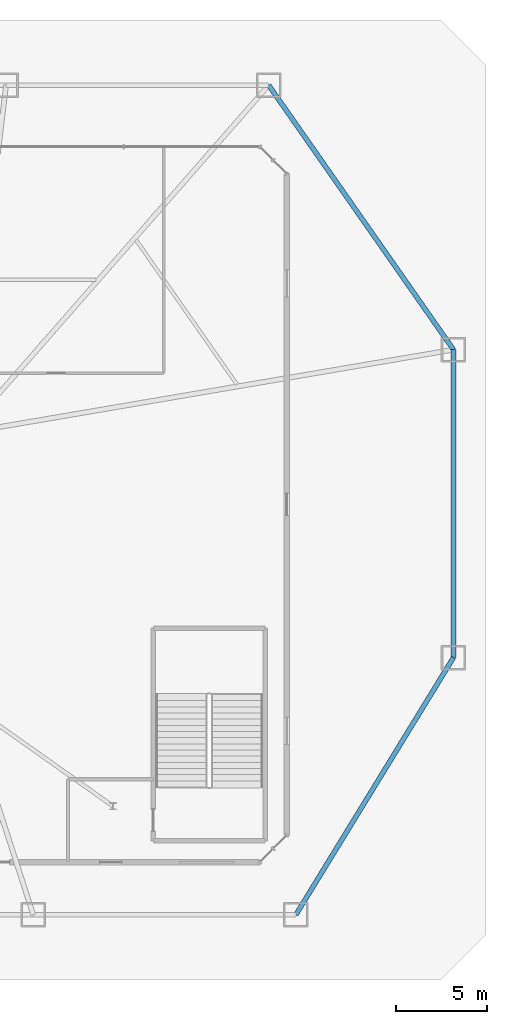
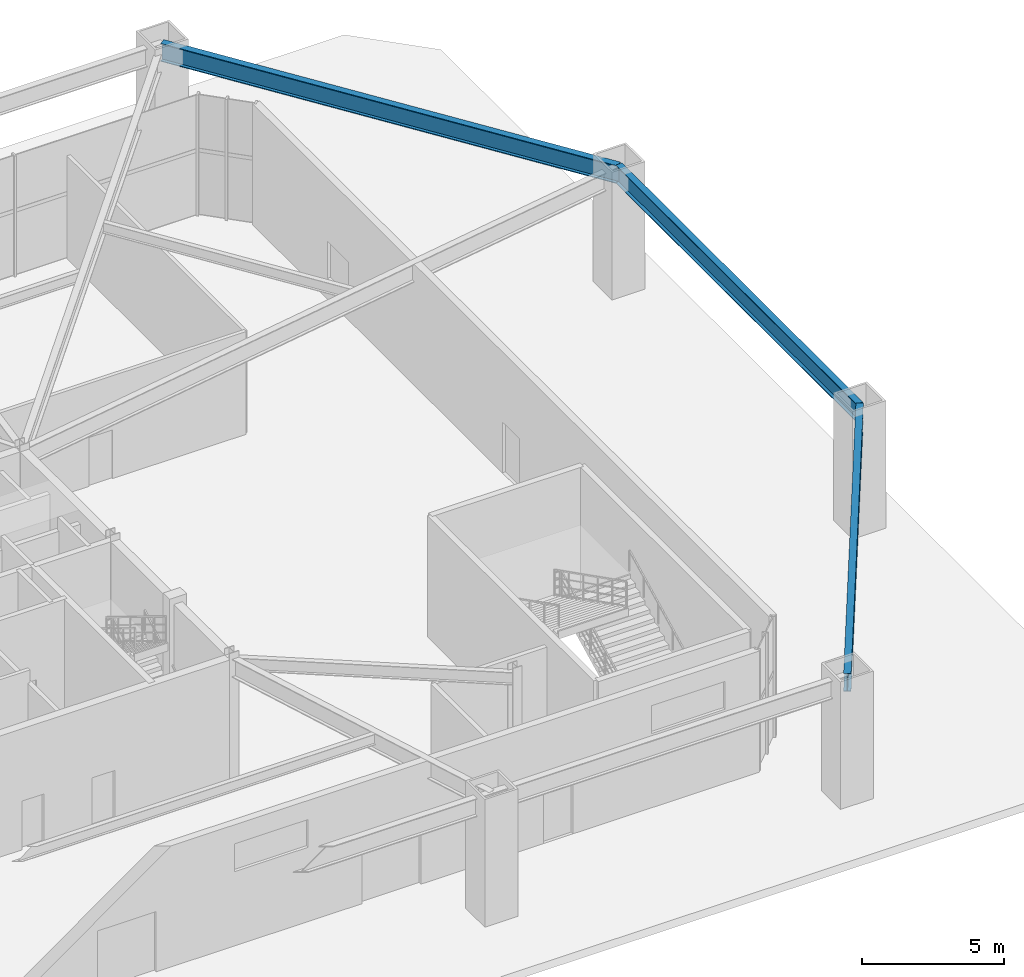
# One storey, part 11 of 20: 3 beams.
"""IFC4 building model written with IfcOpenShell, lengths in metres."""

from ifc_helpers import new_model, si_unit, direction, frame, origin, origin_2d, place, context, subcontext, project, spatial, i_section, extrude, material, material_profile, profile_set, type_object, element, save


model = new_model("IFC4")

# Units and contexts
model_context = context("Model", 3, precision=1e-05, world=origin(), true_north=direction((0.0, 1.0)))
body_context = subcontext(model_context, "Body", "Model", "MODEL_VIEW")
ifc_project = project(units=[si_unit("LENGTHUNIT", "METRE"), si_unit("AREAUNIT", "SQUARE_METRE"), si_unit("VOLUMEUNIT", "CUBIC_METRE"), si_unit("PLANEANGLEUNIT", "RADIAN"), si_unit("MASSUNIT", "GRAM", prefix="KILO")], contexts=[model_context])

# Site, building, storey
site_placement = place(None, origin())
site = spatial("IfcSite", under=ifc_project, at=site_placement, CompositionType="ELEMENT")
building_placement = place(site_placement, origin())
building = spatial("IfcBuilding", under=site, at=building_placement, Name="Varakhsha Concourse Tower", CompositionType="ELEMENT")
storey_placement = place(building_placement, origin())
storey = spatial("IfcBuildingStorey", under=building, at=storey_placement, Name="L01", CompositionType="ELEMENT", Elevation=0.0)

# Beams
ifc_material = material(Name="Structural Steel ASTM A992 Grade 50", Category="steel")
ifc_material_profile = material_profile(ifc_material, i_section(OverallWidth=0.26611328125, OverallDepth=0.779052734375, WebThickness=0.01708984375, FlangeThickness=0.030029296875, at=origin_2d()), Name="W30X148")
ifc_profile_set = profile_set([ifc_material_profile], Name="Structural Steel ASTM A992 Grade 50")
beam_type = type_object("IfcBeamType", Name="BM-BASE-W30X148", PredefinedType="USERDEFINED", material=ifc_profile_set)
beam_1_placement = place(storey_placement, frame((66.5, 4.60009765625, 4.83056640625), z_axis=(0.522420415639, 0.852688049244, 0.0), x_axis=(-0.852688049244, 0.522420415639, 0.0)))
element("IfcBeam", 1, at=beam_1_placement, inside=storey, type_object=beam_type, Name="BM-PRING-L01-04", ObjectType="GIRDER", PredefinedType="USERDEFINED", context=body_context, shape_type="SweptSolid", body=[
    extrude(i_section(OverallWidth=0.26611328125, OverallDepth=0.779052734375, WebThickness=0.01708984375, FlangeThickness=0.030029296875, at=origin_2d()), origin(), (0.0, 0.0, 1.0), 16.653076171875),
])
beam_2_placement = place(storey_placement, frame((75.199951171875, 18.800048828125, 4.83056640625), z_axis=(0.0, 1.0, 0.0), x_axis=(-1.0, 0.0, 0.0)))
element("IfcBeam", 2, at=beam_2_placement, inside=storey, type_object=beam_type, Name="BM-PRING-L01-05", ObjectType="GIRDER", PredefinedType="USERDEFINED", context=body_context, shape_type="SweptSolid", body=[
    extrude(i_section(OverallWidth=0.26611328125, OverallDepth=0.779052734375, WebThickness=0.01708984375, FlangeThickness=0.030029296875, at=origin_2d()), origin(), (0.0, 0.0, 1.0), 17.0),
])
beam_3_placement = place(storey_placement, frame((75.199951171875, 35.800048828125, 4.83056640625), z_axis=(-0.572710457839, 0.819757727309, 0.0), x_axis=(-0.819757727309, -0.572710457839, 0.0)))
element("IfcBeam", 3, at=beam_3_placement, inside=storey, type_object=beam_type, Name="BM-PRING-L01-06", ObjectType="GIRDER", PredefinedType="USERDEFINED", context=body_context, shape_type="SweptSolid", body=[
    extrude(i_section(OverallWidth=0.26611328125, OverallDepth=0.779052734375, WebThickness=0.01708984375, FlangeThickness=0.030029296875, at=origin_2d()), origin(), (0.0, 0.0, 1.0), 17.81005859375),
])

save(model, "model.ifc")
